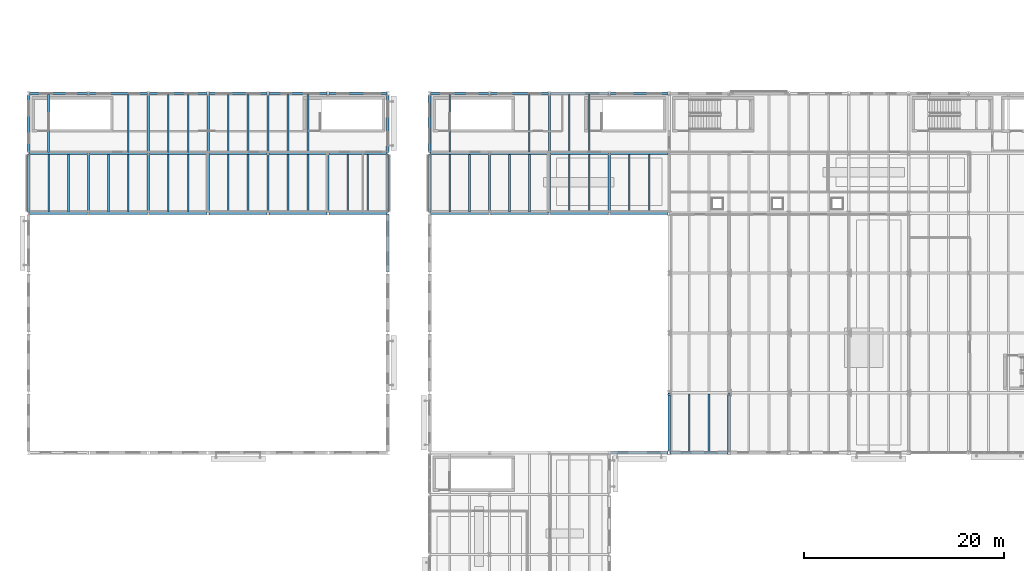
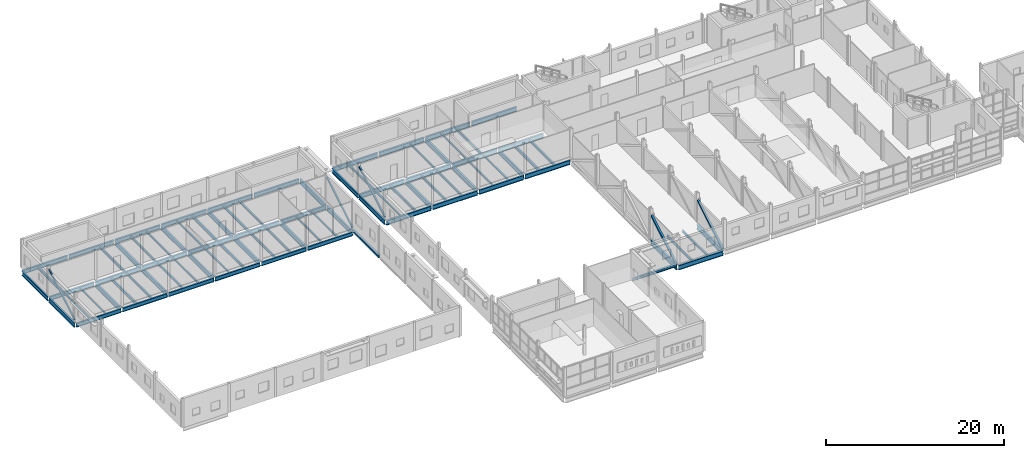
# One storey, part 19 of 92: 87 beams, 5 members.
"""IFC4 building model written with IfcOpenShell, lengths in metres."""

import ifcopenshell
import ifcopenshell.guid

model = None  # the IFC model being written
_history = None  # IfcOwnerHistory: only IFC2X3 demands one
_inside = {}  # id of a spatial element -> (the spatial element, [elements in it])
_under = {}  # id of a project, library or spatial element -> (it, [spatial elements below it])
_declared = {}  # id of a project -> (the project, [libraries it declares])
_typed = {}  # id of a type object -> (the type object, [elements of that type])
_made_of = {}  # id of a material, layer set ... -> (it, [elements and type objects made of it])


def new_model(schema):
    """Start an empty IFC model of exactly this schema.

    Asked for "IFC4X3", IfcOpenShell would pick the latest addendum, in which some entities
    have other attributes; the version numbers below select the first issue.
    IFC2X3 requires an IfcOwnerHistory on every rooted entity: one is made here for all.
    """
    global model, _history
    if schema == "IFC4X3":
        model = ifcopenshell.file(schema_version=(4, 3, 0, 0))
    else:
        model = ifcopenshell.file(schema=schema)
    _inside.clear()
    _under.clear()
    _declared.clear()
    _typed.clear()
    _made_of.clear()
    _history = None
    if model.schema == "IFC2X3":
        org = make("IfcOrganization", Name="unknown")
        user = make(
            "IfcPersonAndOrganization",
            ThePerson=make("IfcPerson", FamilyName="unknown"),
            TheOrganization=org,
        )
        app = make(
            "IfcApplication",
            ApplicationDeveloper=org,
            Version="unknown",
            ApplicationFullName="unknown",
            ApplicationIdentifier="unknown",
        )
        _history = make(
            "IfcOwnerHistory",
            OwningUser=user,
            OwningApplication=app,
            ChangeAction="ADDED",
            CreationDate=0,
        )
    return model


def make(cls, **values):
    """One entity of the class cls with the attributes given. An attribute that is None is left unset."""
    return model.create_entity(
        cls, **{name: value for name, value in values.items() if value is not None}
    )


def rooted(cls, **values):
    """An entity with a GlobalId (a new one), such as an element, a storey or a relation."""
    return make(cls, GlobalId=ifcopenshell.guid.new(), OwnerHistory=_history, **values)


def si_unit(unit_type, name, prefix=None):
    """IfcSIUnit, for example si_unit("LENGTHUNIT", "METRE", prefix="MILLI")."""
    return make("IfcSIUnit", UnitType=unit_type, Prefix=prefix, Name=name)


def assignment(units):
    """IfcUnitAssignment: the units of a project."""
    return None if units is None else make("IfcUnitAssignment", Units=units)


def point(xyz):
    """IfcCartesianPoint."""
    return None if xyz is None else make("IfcCartesianPoint", Coordinates=xyz)


def direction(xyz):
    """IfcDirection."""
    return None if xyz is None else make("IfcDirection", DirectionRatios=xyz)


def frame(location, z_axis=None, x_axis=None):
    """IfcAxis2Placement3D, a coordinate frame: its origin and axes. An axis left out is left unset."""
    return make(
        "IfcAxis2Placement3D",
        Location=point(location),
        Axis=direction(z_axis),
        RefDirection=direction(x_axis),
    )


def frame_2d(location, x_axis=None):
    """IfcAxis2Placement2D, a coordinate frame in the plane: its origin and x axis."""
    return make(
        "IfcAxis2Placement2D", Location=point(location), RefDirection=direction(x_axis)
    )


def origin():
    """The frame at (0, 0, 0) with its axes left unset."""
    return frame((0.0, 0.0, 0.0))


def origin_2d():
    """The frame at (0, 0) in the plane with its x axis left unset."""
    return frame_2d((0.0, 0.0))


def place(relative_to, where):
    """IfcLocalPlacement: puts the frame where relative to a parent placement (None: the world)."""
    return make(
        "IfcLocalPlacement", PlacementRelTo=relative_to, RelativePlacement=where
    )


def context(
    kind, dimensions, precision=None, world=None, true_north=None, identifier=None
):
    """IfcGeometricRepresentationContext, for example the 3D "Model" context."""
    return make(
        "IfcGeometricRepresentationContext",
        ContextIdentifier=identifier,
        ContextType=kind,
        CoordinateSpaceDimension=dimensions,
        Precision=precision,
        WorldCoordinateSystem=world,
        TrueNorth=true_north,
    )


def subcontext(parent, identifier, kind, view, scale=None):
    """IfcGeometricRepresentationSubContext, for example "Body" below "Model"."""
    return make(
        "IfcGeometricRepresentationSubContext",
        ContextIdentifier=identifier,
        ContextType=kind,
        ParentContext=parent,
        TargetScale=scale,
        TargetView=view,
    )


def project(units=None, contexts=None):
    """IfcProject with its units and contexts."""
    return rooted(
        "IfcProject",
        Name="project",
        RepresentationContexts=contexts,
        UnitsInContext=assignment(units),
    )


def spatial(cls, under=None, at=None, **own):
    """A site, building, storey or space (cls), placed at a placement, below another one or the project."""
    s = rooted(cls, ObjectPlacement=at, **own)
    if under is not None:
        _under.setdefault(under.id(), (under, []))[1].append(s)
    return s


def profile(cls, at=None, kind="AREA", **sizes):
    """A parametric profile (cls). Its sizes go by their IFC names, for example OverallWidth=200.0."""
    return make(cls, ProfileType=kind, Position=at, **sizes)


def hollow_rectangle(**sizes):
    """IfcRectangleHollowProfileDef."""
    return profile("IfcRectangleHollowProfileDef", **sizes)


def i_section(**sizes):
    """IfcIShapeProfileDef."""
    return profile("IfcIShapeProfileDef", **sizes)


def extrude(swept, where, along, depth):
    """IfcExtrudedAreaSolid: the profile swept, set in the frame where, extruded along a direction by depth."""
    return make(
        "IfcExtrudedAreaSolid",
        SweptArea=swept,
        Position=where,
        ExtrudedDirection=direction(along),
        Depth=depth,
    )


def shape(context_of_items, identifier, shape_type, items):
    """IfcShapeRepresentation: the items that make up one representation, for example the "Body"."""
    return make(
        "IfcShapeRepresentation",
        ContextOfItems=context_of_items,
        RepresentationIdentifier=identifier,
        RepresentationType=shape_type,
        Items=items,
    )


def material(Name=None, Category=None):
    """IfcMaterial."""
    return make("IfcMaterial", Name=Name, Category=Category)


def material_profile(
    of_material, cross_section, Name=None, Category=None, Priority=None
):
    """IfcMaterialProfile: a cross section and its material."""
    return make(
        "IfcMaterialProfile",
        Name=Name,
        Material=of_material,
        Profile=cross_section,
        Priority=Priority,
        Category=Category,
    )


def profile_set(profiles, Name=None, composite=None):
    """IfcMaterialProfileSet."""
    return make(
        "IfcMaterialProfileSet",
        Name=Name,
        MaterialProfiles=profiles,
        CompositeProfile=composite,
    )


def made_of(thing, what):
    """Note that an element or type object is made of a material, layer set ...; save() writes the relation."""
    if what is not None:
        _made_of.setdefault(what.id(), (what, []))[1].append(thing)
    return thing


def type_object(cls, material=None, **own):
    """A type object (cls), such as IfcWallType, which elements share."""
    return made_of(rooted(cls, **own), material)


def element(
    cls,
    number,
    at=None,
    inside=None,
    cuts=None,
    type_object=None,
    material=None,
    context=None,
    identifier="Body",
    shape_type=None,
    held_by="IfcProductDefinitionShape",
    body=None,
    shapes=None,
    **own,
):
    """One element of the class cls, such as IfcWall. Its Tag is "e" and its number.

    at: its placement. inside: the storey or other place that contains it. cuts: it is an
    opening in that element (IfcRelVoidsElement). A single representation is given by context,
    identifier, shape_type and body (its items); several are given by shapes. held_by: the class
    of the entity that holds the representations. save() writes the other relations.
    """
    e = rooted(cls, Tag="e%d" % number, ObjectPlacement=at, **own)
    if body is not None:
        shapes = [shape(context, identifier, shape_type, body)]
    if shapes is not None:
        e.Representation = make(held_by, Representations=shapes)
    if inside is not None:
        _inside.setdefault(inside.id(), (inside, []))[1].append(e)
    if cuts is not None:
        rooted(
            "IfcRelVoidsElement", RelatingBuildingElement=cuts, RelatedOpeningElement=e
        )
    if type_object is not None:
        _typed.setdefault(type_object.id(), (type_object, []))[1].append(e)
    return made_of(e, material)


def aggregate(whole, parts):
    """IfcRelAggregates: a whole, such as a stair, and the parts it consists of."""
    return rooted("IfcRelAggregates", RelatingObject=whole, RelatedObjects=parts)


def save(model, path):
    """Write the relations noted so far, then the file.

    IfcRelAggregates (storeys below a building ...), IfcRelContainedInSpatialStructure (elements
    in a storey), IfcRelDefinesByType, IfcRelAssociatesMaterial and IfcRelDeclares: one each for
    every whole, place, type object, material and project.
    """
    for whole, parts in _under.values():
        aggregate(whole, parts)
    for where, things in _inside.values():
        rooted(
            "IfcRelContainedInSpatialStructure",
            RelatedElements=things,
            RelatingStructure=where,
        )
    for kind, things in _typed.values():
        rooted("IfcRelDefinesByType", RelatedObjects=things, RelatingType=kind)
    for what, things in _made_of.values():
        rooted("IfcRelAssociatesMaterial", RelatedObjects=things, RelatingMaterial=what)
    for by, libraries in _declared.values():
        rooted("IfcRelDeclares", RelatingContext=by, RelatedDefinitions=libraries)
    model.write(path)


model = new_model("IFC4")

# Units and contexts
model_context = context("Model", 3, precision=1e-05, world=origin(), true_north=direction((0.0, 1.0)))
body_context = subcontext(model_context, "Body", "Model", "MODEL_VIEW")
ifc_project = project(units=[si_unit("LENGTHUNIT", "METRE"), si_unit("AREAUNIT", "SQUARE_METRE"), si_unit("VOLUMEUNIT", "CUBIC_METRE"), si_unit("PLANEANGLEUNIT", "RADIAN"), si_unit("MASSUNIT", "GRAM", prefix="KILO")], contexts=[model_context])

# Site, building, storey
site_placement = place(None, origin())
site = spatial("IfcSite", under=ifc_project, at=site_placement, CompositionType="ELEMENT")
building_placement = place(site_placement, origin())
building = spatial("IfcBuilding", under=site, at=building_placement, Name="Siltcreek Boulevard Central Fire Station", CompositionType="ELEMENT")
storey_placement = place(building_placement, frame((0.0, 0.0, 6.0)))
storey = spatial("IfcBuildingStorey", under=building, at=storey_placement, Name="L02", CompositionType="ELEMENT", Elevation=6.0)

# Beams
ifc_material_1 = material(Name="Structural steel ASTM A992 Gr50", Category="steel")
ifc_material_profile_1 = material_profile(ifc_material_1, i_section(OverallWidth=0.25390625, OverallDepth=0.35302734375, WebThickness=0.009521484375, FlangeThickness=0.016357421875, at=origin_2d()), Name="W360X91")
ifc_profile_set_1 = profile_set([ifc_material_profile_1], Name="Structural steel ASTM A992 Gr50")
beam_type_1 = type_object("IfcBeamType", Name="BM_W360X91", PredefinedType="BEAM", material=ifc_profile_set_1)
for number, where, z_axis, x_axis, name in (
    (1, (60.10009765625, 18.0, -0.176513671875), (1.0, 0.0, 0.0), (0.0, 1.0, 0.0), "Perimeter spandrel tie beam EB-13"),
    (2, (37.800048828125, 36.10009765625, -0.176513671875), (0.0, 1.0, 0.0), (-1.0, 0.0, 0.0), "Perimeter spandrel tie beam EB-17"),
):
    element("IfcBeam", number, at=place(storey_placement, frame(where, z_axis=z_axis, x_axis=x_axis)), inside=storey, type_object=beam_type_1, Name=name, PredefinedType="BEAM", context=body_context, shape_type="SweptSolid", body=[
        extrude(i_section(OverallWidth=0.25390625, OverallDepth=0.35302734375, WebThickness=0.009521484375, FlangeThickness=0.016357421875, at=origin_2d()), origin(), (0.0, 0.0, 1.0), 5.7998046875),
    ])
ifc_material_profile_2 = material_profile(ifc_material_1, i_section(OverallWidth=0.2109375, OverallDepth=0.5390625, WebThickness=0.01171875, FlangeThickness=0.018798828125, at=origin_2d()), Name="W530X109")
ifc_profile_set_2 = profile_set([ifc_material_profile_2], Name="Structural steel ASTM A992 Gr50")
beam_type_2 = type_object("IfcBeamType", Name="BM_W530X109", PredefinedType="BEAM", material=ifc_profile_set_2)
for number, where, z_axis, x_axis, name in (
    (3, (1.89990234375, 42.0, -0.589599609375), (1.0, 0.0, 0.0), (0.0, 1.0, 0.0), "L02 primary steel girder GX-0139"),
    (4, (7.89990234375, 42.0, -0.589599609375), (1.0, 0.0, 0.0), (0.0, 1.0, 0.0), "L02 primary steel girder GX-0140"),
    (5, (13.89990234375, 42.0, -0.589599609375), (1.0, 0.0, 0.0), (0.0, 1.0, 0.0), "L02 primary steel girder GX-0141"),
    (6, (19.89990234375, 42.0, -0.589599609375), (1.0, 0.0, 0.0), (0.0, 1.0, 0.0), "L02 primary steel girder GX-0142"),
    (7, (25.89990234375, 42.0, -0.589599609375), (1.0, 0.0, 0.0), (0.0, 1.0, 0.0), "L02 primary steel girder GX-0143"),
    (8, (31.89990234375, 42.0, -0.589599609375), (1.0, 0.0, 0.0), (0.0, 1.0, 0.0), "L02 primary steel girder GX-0144"),
    (9, (1.89990234375, 48.0, -0.589599609375), (1.0, 0.0, 0.0), (0.0, 1.0, 0.0), "L02 primary steel girder GX-0145"),
    (10, (7.89990234375, 48.0, -0.589599609375), (1.0, 0.0, 0.0), (0.0, 1.0, 0.0), "L02 primary steel girder GX-0146"),
    (11, (13.89990234375, 48.0, -0.589599609375), (1.0, 0.0, 0.0), (0.0, 1.0, 0.0), "L02 primary steel girder GX-0147"),
    (12, (19.89990234375, 48.0, -0.589599609375), (1.0, 0.0, 0.0), (0.0, 1.0, 0.0), "L02 primary steel girder GX-0148"),
    (13, (25.89990234375, 48.0, -0.589599609375), (1.0, 0.0, 0.0), (0.0, 1.0, 0.0), "L02 primary steel girder GX-0149"),
    (14, (31.89990234375, 48.0, -0.589599609375), (1.0, 0.0, 0.0), (0.0, 1.0, 0.0), "L02 primary steel girder GX-0150"),
    (15, (1.89990234375, 54.0, -0.589599609375), (1.0, 0.0, 0.0), (0.0, 1.0, 0.0), "L02 primary steel girder GX-0151"),
    (16, (7.89990234375, 54.0, -0.589599609375), (1.0, 0.0, 0.0), (0.0, 1.0, 0.0), "L02 primary steel girder GX-0152"),
    (17, (13.89990234375, 54.0, -0.589599609375), (1.0, 0.0, 0.0), (0.0, 1.0, 0.0), "L02 primary steel girder GX-0153"),
    (18, (19.89990234375, 54.0, -0.589599609375), (1.0, 0.0, 0.0), (0.0, 1.0, 0.0), "L02 primary steel girder GX-0154"),
    (19, (25.89990234375, 54.0, -0.589599609375), (1.0, 0.0, 0.0), (0.0, 1.0, 0.0), "L02 primary steel girder GX-0155"),
    (20, (31.89990234375, 54.0, -0.589599609375), (1.0, 0.0, 0.0), (0.0, 1.0, 0.0), "L02 primary steel girder GX-0156"),
):
    element("IfcBeam", number, at=place(storey_placement, frame(where, z_axis=z_axis, x_axis=x_axis)), inside=storey, type_object=beam_type_2, Name=name, PredefinedType="BEAM", context=body_context, shape_type="SweptSolid", body=[
        extrude(i_section(OverallWidth=0.2109375, OverallDepth=0.5390625, WebThickness=0.01171875, FlangeThickness=0.018798828125, at=origin_2d()), origin(), (0.0, 0.0, 1.0), 5.800048828125),
    ])
ifc_material_profile_3 = material_profile(ifc_material_1, i_section(OverallWidth=0.22802734375, OverallDepth=0.60791015625, WebThickness=0.01123046875, FlangeThickness=0.017333984375, at=origin_2d()), Name="W610X113")
ifc_profile_set_3 = profile_set([ifc_material_profile_3], Name="Structural steel ASTM A992 Gr50")
beam_type_3 = type_object("IfcBeamType", Name="BM_W610X113", PredefinedType="BEAM", material=ifc_profile_set_3)
for number, where, z_axis, x_axis, name in (
    (21, (42.0, 42.10009765625, -0.6240234375), (0.0, 1.0, 0.0), (-1.0, 0.0, 0.0), "L02 primary steel girder GY-0028"),
    (22, (42.0, 48.10009765625, -0.6240234375), (0.0, 1.0, 0.0), (-1.0, 0.0, 0.0), "L02 primary steel girder GY-0029"),
    (23, (48.0, 42.10009765625, -0.6240234375), (0.0, 1.0, 0.0), (-1.0, 0.0, 0.0), "L02 primary steel girder GY-0032"),
    (24, (54.0, 42.10009765625, -0.6240234375), (0.0, 1.0, 0.0), (-1.0, 0.0, 0.0), "L02 primary steel girder GY-0036"),
    (25, (54.0, 48.10009765625, -0.6240234375), (0.0, 1.0, 0.0), (-1.0, 0.0, 0.0), "L02 primary steel girder GY-0037"),
    (26, (60.0, 42.10009765625, -0.6240234375), (0.0, 1.0, 0.0), (-1.0, 0.0, 0.0), "L02 primary steel girder GY-0041"),
    (27, (1.800048828125, 42.10009765625, -0.6240234375), (0.0, 1.0, 0.0), (-1.0, 0.0, 0.0), "L02 primary steel girder GY-0157"),
    (28, (1.800048828125, 48.10009765625, -0.6240234375), (0.0, 1.0, 0.0), (-1.0, 0.0, 0.0), "L02 primary steel girder GY-0158"),
    (29, (7.800048828125, 42.10009765625, -0.6240234375), (0.0, 1.0, 0.0), (-1.0, 0.0, 0.0), "L02 primary steel girder GY-0159"),
    (30, (13.800048828125, 42.10009765625, -0.6240234375), (0.0, 1.0, 0.0), (-1.0, 0.0, 0.0), "L02 primary steel girder GY-0160"),
    (31, (13.800048828125, 48.10009765625, -0.6240234375), (0.0, 1.0, 0.0), (-1.0, 0.0, 0.0), "L02 primary steel girder GY-0161"),
    (32, (19.800048828125, 42.10009765625, -0.6240234375), (0.0, 1.0, 0.0), (-1.0, 0.0, 0.0), "L02 primary steel girder GY-0162"),
    (33, (19.800048828125, 48.10009765625, -0.6240234375), (0.0, 1.0, 0.0), (-1.0, 0.0, 0.0), "L02 primary steel girder GY-0163"),
    (34, (25.800048828125, 42.10009765625, -0.6240234375), (0.0, 1.0, 0.0), (-1.0, 0.0, 0.0), "L02 primary steel girder GY-0164"),
    (35, (25.800048828125, 48.10009765625, -0.6240234375), (0.0, 1.0, 0.0), (-1.0, 0.0, 0.0), "L02 primary steel girder GY-0165"),
    (36, (31.800048828125, 42.10009765625, -0.6240234375), (0.0, 1.0, 0.0), (-1.0, 0.0, 0.0), "L02 primary steel girder GY-0166"),
    (37, (37.800048828125, 42.10009765625, -0.6240234375), (0.0, 1.0, 0.0), (-1.0, 0.0, 0.0), "L02 primary steel girder GY-0167"),
    (38, (37.800048828125, 48.10009765625, -0.6240234375), (0.0, 1.0, 0.0), (-1.0, 0.0, 0.0), "L02 primary steel girder GY-0168"),
):
    element("IfcBeam", number, at=place(storey_placement, frame(where, z_axis=z_axis, x_axis=x_axis)), inside=storey, type_object=beam_type_3, Name=name, PredefinedType="BEAM", context=body_context, shape_type="SweptSolid", body=[
        extrude(i_section(OverallWidth=0.22802734375, OverallDepth=0.60791015625, WebThickness=0.01123046875, FlangeThickness=0.017333984375, at=origin_2d()), origin(), (0.0, 0.0, 1.0), 5.7998046875),
    ])
ifc_material_profile_4 = material_profile(ifc_material_1, i_section(OverallWidth=0.22998046875, OverallDepth=0.616943359375, WebThickness=0.01318359375, FlangeThickness=0.022216796875, at=origin_2d()), Name="W610X140")
ifc_profile_set_4 = profile_set([ifc_material_profile_4], Name="Structural steel ASTM A992 Gr50")
beam_type_4 = type_object("IfcBeamType", Name="BM_W610X140", PredefinedType="BEAM", material=ifc_profile_set_4)
for number, where, z_axis, x_axis, name in (
    (39, (42.10009765625, 42.0, -0.62841796875), (1.0, 0.0, 0.0), (0.0, 1.0, 0.0), "L02 primary steel girder GX-0013"),
    (40, (48.10009765625, 42.0, -0.62841796875), (1.0, 0.0, 0.0), (0.0, 1.0, 0.0), "L02 primary steel girder GX-0014"),
    (41, (54.10009765625, 42.0, -0.62841796875), (1.0, 0.0, 0.0), (0.0, 1.0, 0.0), "L02 primary steel girder GX-0015"),
    (42, (60.10009765625, 42.0, -0.62841796875), (1.0, 0.0, 0.0), (0.0, 1.0, 0.0), "L02 primary steel girder GX-0016"),
    (43, (42.10009765625, 48.0, -0.62841796875), (1.0, 0.0, 0.0), (0.0, 1.0, 0.0), "L02 primary steel girder GX-0017"),
    (44, (48.10009765625, 48.0, -0.62841796875), (1.0, 0.0, 0.0), (0.0, 1.0, 0.0), "L02 primary steel girder GX-0018"),
    (45, (54.10009765625, 48.0, -0.62841796875), (1.0, 0.0, 0.0), (0.0, 1.0, 0.0), "L02 primary steel girder GX-0019"),
    (46, (60.10009765625, 48.0, -0.62841796875), (1.0, 0.0, 0.0), (0.0, 1.0, 0.0), "L02 primary steel girder GX-0020"),
    (47, (42.10009765625, 54.0, -0.62841796875), (1.0, 0.0, 0.0), (0.0, 1.0, 0.0), "L02 primary steel girder GX-0021"),
    (48, (48.10009765625, 54.0, -0.62841796875), (1.0, 0.0, 0.0), (0.0, 1.0, 0.0), "L02 primary steel girder GX-0022"),
    (49, (54.10009765625, 54.0, -0.62841796875), (1.0, 0.0, 0.0), (0.0, 1.0, 0.0), "L02 primary steel girder GX-0023"),
    (50, (60.10009765625, 54.0, -0.62841796875), (1.0, 0.0, 0.0), (0.0, 1.0, 0.0), "L02 primary steel girder GX-0024"),
    (51, (66.10009765625, 18.0, -0.62841796875), (1.0, 0.0, 0.0), (0.0, 1.0, 0.0), "L02 primary steel girder GX-0044"),
):
    element("IfcBeam", number, at=place(storey_placement, frame(where, z_axis=z_axis, x_axis=x_axis)), inside=storey, type_object=beam_type_4, Name=name, PredefinedType="BEAM", context=body_context, shape_type="SweptSolid", body=[
        extrude(i_section(OverallWidth=0.22998046875, OverallDepth=0.616943359375, WebThickness=0.01318359375, FlangeThickness=0.022216796875, at=origin_2d()), origin(), (0.0, 0.0, 1.0), 5.7998046875),
    ])
ifc_material_profile_5 = material_profile(ifc_material_1, i_section(OverallWidth=0.256103515625, OverallDepth=0.693115234375, WebThickness=0.014404296875, FlangeThickness=0.023681640625, at=origin_2d()), Name="W690X170")
ifc_profile_set_5 = profile_set([ifc_material_profile_5], Name="Structural steel ASTM A992 Gr50")
beam_type_5 = type_object("IfcBeamType", Name="BM_W690X170", PredefinedType="BEAM", material=ifc_profile_set_5)
for number, where, z_axis, x_axis, name in (
    (52, (66.0, 18.18505859375, -0.66650390625), (0.0, 1.0, 0.0), (-1.0, 0.0, 0.0), "Pratt transfer truss TT1 bottom chord panel 1"),
    (53, (72.0, 18.18505859375, -0.66650390625), (0.0, 1.0, 0.0), (-1.0, 0.0, 0.0), "Pratt transfer truss TT2 bottom chord panel 1"),
):
    element("IfcBeam", number, at=place(storey_placement, frame(where, z_axis=z_axis, x_axis=x_axis)), inside=storey, type_object=beam_type_5, Name=name, PredefinedType="BEAM", context=body_context, shape_type="SweptSolid", body=[
        extrude(i_section(OverallWidth=0.256103515625, OverallDepth=0.693115234375, WebThickness=0.014404296875, FlangeThickness=0.023681640625, at=origin_2d()), origin(), (0.0, 0.0, 1.0), 5.81298828125),
    ])

# Members
ifc_material_2 = material(Name="Structural steel ASTM A500 GrC", Category="steel")
ifc_material_profile_6 = material_profile(ifc_material_2, hollow_rectangle(XDim=0.179931640625, YDim=0.179931640625, WallThickness=0.008056640625, at=origin_2d()), Name="HSS180X180X8.0")
ifc_profile_set_6 = profile_set([ifc_material_profile_6], Name="Structural steel ASTM A500 GrC")
member_type_1 = type_object("IfcMemberType", Name="BR_HSS180", PredefinedType="BRACE", material=ifc_profile_set_6)
for number, where, z_axis, x_axis, name in (
    (54, (1.800048828125, 42.1201171875, 0.10009765625), (0.0, 0.857880912355, 0.513848557667), (-1.0, 0.0, 0.0), "L02 SCBF concentrically braced frame BR-002"),
    (55, (37.800048828125, 42.1201171875, 0.10009765625), (0.0, 0.857880912355, 0.513848557667), (-1.0, 0.0, 0.0), "L02 SCBF concentrically braced frame BR-004"),
):
    element("IfcMember", number, at=place(storey_placement, frame(where, z_axis=z_axis, x_axis=x_axis)), inside=storey, type_object=member_type_1, Name=name, PredefinedType="BRACE", context=body_context, shape_type="SweptSolid", body=[
        extrude(hollow_rectangle(XDim=0.179931640625, YDim=0.179931640625, WallThickness=0.008056640625, at=origin_2d()), origin(), (0.0, 0.0, 1.0), 6.7138671875),
    ])
ifc_material_profile_7 = material_profile(ifc_material_2, hollow_rectangle(XDim=0.199951171875, YDim=0.199951171875, WallThickness=0.00634765625, at=origin_2d()), Name="HSS200X200X6.4")
ifc_profile_set_7 = profile_set([ifc_material_profile_7], Name="Structural steel ASTM A500 GrC")
member_type_2 = type_object("IfcMemberType", Name="BR_HSS200_6", PredefinedType="BRACE", material=ifc_profile_set_7)
member_placement = place(storey_placement, frame((42.0, 42.1201171875, 0.10009765625), z_axis=(0.0, 0.857880912355, 0.513848557667), x_axis=(-1.0, 0.0, 0.0)))
element("IfcMember", 56, at=member_placement, inside=storey, type_object=member_type_2, Name="L02 SCBF concentrically braced frame BR-006", PredefinedType="BRACE", context=body_context, shape_type="SweptSolid", body=[
    extrude(hollow_rectangle(XDim=0.199951171875, YDim=0.199951171875, WallThickness=0.00634765625, at=origin_2d()), origin(), (0.0, 0.0, 1.0), 6.7138671875),
])
ifc_material_profile_8 = material_profile(ifc_material_2, hollow_rectangle(XDim=0.25, YDim=0.25, WallThickness=0.012451171875, at=origin_2d()), Name="HSS250X250X12.5")
ifc_profile_set_8 = profile_set([ifc_material_profile_8], Name="Structural steel ASTM A500 GrC")
member_type_3 = type_object("IfcMemberType", Name="BR_HSS250_12", PredefinedType="BRACE", material=ifc_profile_set_8)
for number, where, z_axis, x_axis, name in (
    (57, (66.0, 18.199951171875, -0.324462890625), (0.0, 0.857769965344, 0.514033740676), (-1.0, 0.0, 0.0), "Pratt transfer truss TT1 diagonal web 1"),
    (58, (72.0, 18.199951171875, -0.324462890625), (0.0, 0.857769965344, 0.514033740676), (-1.0, 0.0, 0.0), "Pratt transfer truss TT2 diagonal web 1"),
):
    element("IfcMember", number, at=place(storey_placement, frame(where, z_axis=z_axis, x_axis=x_axis)), inside=storey, type_object=member_type_3, Name=name, PredefinedType="BRACE", context=body_context, shape_type="SweptSolid", body=[
        extrude(hollow_rectangle(XDim=0.25, YDim=0.25, WallThickness=0.012451171875, at=origin_2d()), origin(), (0.0, 0.0, 1.0), 6.528564453125),
    ])

# Beams
ifc_material_profile_9 = material_profile(ifc_material_1, i_section(OverallWidth=0.1650390625, OverallDepth=0.200927734375, WebThickness=0.006103515625, FlangeThickness=0.01025390625, at=origin_2d()), Name="W200X36")
ifc_profile_set_9 = profile_set([ifc_material_profile_9], Name="Structural steel ASTM A992 Gr50")
beam_type_6 = type_object("IfcBeamType", Name="JST_W200X36", PredefinedType="JOIST", material=ifc_profile_set_9)
for number, where, z_axis, x_axis, name in (
    (59, (44.0, 42.113037109375, -0.42041015625), (0.0, 1.0, 0.0), (-1.0, 0.0, 0.0), "L02 secondary steel floor joist 0017"),
    (60, (58.0, 42.113037109375, -0.42041015625), (0.0, 1.0, 0.0), (-1.0, 0.0, 0.0), "L02 secondary steel floor joist 0022"),
    (61, (56.0, 48.113037109375, -0.42041015625), (0.0, 1.0, 0.0), (-1.0, 0.0, 0.0), "L02 secondary steel floor joist 0027"),
):
    element("IfcBeam", number, at=place(storey_placement, frame(where, z_axis=z_axis, x_axis=x_axis)), inside=storey, type_object=beam_type_6, Name=name, PredefinedType="JOIST", context=body_context, shape_type="SweptSolid", body=[
        extrude(i_section(OverallWidth=0.1650390625, OverallDepth=0.200927734375, WebThickness=0.006103515625, FlangeThickness=0.01025390625, at=origin_2d()), origin(), (0.0, 0.0, 1.0), 5.77392578125),
    ])
for number, where, z_axis, x_axis, name in (
    (62, (5.800048828125, 42.103515625, -0.42041015625), (0.0, 1.0, 0.0), (-1.0, 0.0, 0.0), "L02 secondary steel floor joist 0122"),
    (63, (21.800048828125, 42.103515625, -0.42041015625), (0.0, 1.0, 0.0), (-1.0, 0.0, 0.0), "L02 secondary steel floor joist 0127"),
    (64, (35.800048828125, 42.103515625, -0.42041015625), (0.0, 1.0, 0.0), (-1.0, 0.0, 0.0), "L02 secondary steel floor joist 0132"),
    (65, (21.800048828125, 48.103515625, -0.42041015625), (0.0, 1.0, 0.0), (-1.0, 0.0, 0.0), "L02 secondary steel floor joist 0137"),
):
    element("IfcBeam", number, at=place(storey_placement, frame(where, z_axis=z_axis, x_axis=x_axis)), inside=storey, type_object=beam_type_6, Name=name, PredefinedType="JOIST", context=body_context, shape_type="SweptSolid", body=[
        extrude(i_section(OverallWidth=0.1650390625, OverallDepth=0.200927734375, WebThickness=0.006103515625, FlangeThickness=0.01025390625, at=origin_2d()), origin(), (0.0, 0.0, 1.0), 5.79296875),
    ])
ifc_material_profile_10 = material_profile(ifc_material_1, i_section(OverallWidth=0.14697265625, OverallDepth=0.261962890625, WebThickness=0.006591796875, FlangeThickness=0.01123046875, at=origin_2d()), Name="W250X39")
ifc_profile_set_10 = profile_set([ifc_material_profile_10], Name="Structural steel ASTM A992 Gr50")
beam_type_7 = type_object("IfcBeamType", Name="JST_W250X39", PredefinedType="JOIST", material=ifc_profile_set_10)
for number, where, z_axis, x_axis, name in (
    (66, (56.0, 42.113037109375, -0.450927734375), (0.0, 1.0, 0.0), (-1.0, 0.0, 0.0), "L02 secondary steel floor joist 0021"),
    (67, (52.0, 48.113037109375, -0.450927734375), (0.0, 1.0, 0.0), (-1.0, 0.0, 0.0), "L02 secondary steel floor joist 0026"),
):
    element("IfcBeam", number, at=place(storey_placement, frame(where, z_axis=z_axis, x_axis=x_axis)), inside=storey, type_object=beam_type_7, Name=name, PredefinedType="JOIST", context=body_context, shape_type="SweptSolid", body=[
        extrude(i_section(OverallWidth=0.14697265625, OverallDepth=0.261962890625, WebThickness=0.006591796875, FlangeThickness=0.01123046875, at=origin_2d()), origin(), (0.0, 0.0, 1.0), 5.77392578125),
    ])
for number, where, z_axis, x_axis, name in (
    (68, (3.800048828125, 42.103515625, -0.450927734375), (0.0, 1.0, 0.0), (-1.0, 0.0, 0.0), "L02 secondary steel floor joist 0121"),
    (69, (17.800048828125, 42.103515625, -0.450927734375), (0.0, 1.0, 0.0), (-1.0, 0.0, 0.0), "L02 secondary steel floor joist 0126"),
    (70, (33.800048828125, 42.103515625, -0.450927734375), (0.0, 1.0, 0.0), (-1.0, 0.0, 0.0), "L02 secondary steel floor joist 0131"),
    (71, (17.800048828125, 48.103515625, -0.450927734375), (0.0, 1.0, 0.0), (-1.0, 0.0, 0.0), "L02 secondary steel floor joist 0136"),
):
    element("IfcBeam", number, at=place(storey_placement, frame(where, z_axis=z_axis, x_axis=x_axis)), inside=storey, type_object=beam_type_7, Name=name, PredefinedType="JOIST", context=body_context, shape_type="SweptSolid", body=[
        extrude(i_section(OverallWidth=0.14697265625, OverallDepth=0.261962890625, WebThickness=0.006591796875, FlangeThickness=0.01123046875, at=origin_2d()), origin(), (0.0, 0.0, 1.0), 5.79296875),
    ])
ifc_material_profile_11 = material_profile(ifc_material_1, i_section(OverallWidth=0.166015625, OverallDepth=0.31298828125, WebThickness=0.006591796875, FlangeThickness=0.01123046875, at=origin_2d()), Name="W310X45")
ifc_profile_set_11 = profile_set([ifc_material_profile_11], Name="Structural steel ASTM A992 Gr50")
beam_type_8 = type_object("IfcBeamType", Name="JST_W310X45", PredefinedType="JOIST", material=ifc_profile_set_11)
for number, where, z_axis, x_axis, name in (
    (72, (52.0, 42.113037109375, -0.4765625), (0.0, 1.0, 0.0), (-1.0, 0.0, 0.0), "L02 secondary steel floor joist 0020"),
    (73, (44.0, 48.113037109375, -0.4765625), (0.0, 1.0, 0.0), (-1.0, 0.0, 0.0), "L02 secondary steel floor joist 0025"),
    (74, (70.0, 18.113037109375, -0.4765625), (0.0, 1.0, 0.0), (-1.0, 0.0, 0.0), "L02 secondary steel floor joist 0030"),
):
    element("IfcBeam", number, at=place(storey_placement, frame(where, z_axis=z_axis, x_axis=x_axis)), inside=storey, type_object=beam_type_8, Name=name, PredefinedType="JOIST", context=body_context, shape_type="SweptSolid", body=[
        extrude(i_section(OverallWidth=0.166015625, OverallDepth=0.31298828125, WebThickness=0.006591796875, FlangeThickness=0.01123046875, at=origin_2d()), origin(), (0.0, 0.0, 1.0), 5.77392578125),
    ])
for number, where, z_axis, x_axis, name in (
    (75, (15.800048828125, 42.103515625, -0.4765625), (0.0, 1.0, 0.0), (-1.0, 0.0, 0.0), "L02 secondary steel floor joist 0125"),
    (76, (29.800048828125, 42.103515625, -0.4765625), (0.0, 1.0, 0.0), (-1.0, 0.0, 0.0), "L02 secondary steel floor joist 0130"),
    (77, (15.800048828125, 48.103515625, -0.4765625), (0.0, 1.0, 0.0), (-1.0, 0.0, 0.0), "L02 secondary steel floor joist 0135"),
    (78, (29.800048828125, 48.103515625, -0.4765625), (0.0, 1.0, 0.0), (-1.0, 0.0, 0.0), "L02 secondary steel floor joist 0140"),
):
    element("IfcBeam", number, at=place(storey_placement, frame(where, z_axis=z_axis, x_axis=x_axis)), inside=storey, type_object=beam_type_8, Name=name, PredefinedType="JOIST", context=body_context, shape_type="SweptSolid", body=[
        extrude(i_section(OverallWidth=0.166015625, OverallDepth=0.31298828125, WebThickness=0.006591796875, FlangeThickness=0.01123046875, at=origin_2d()), origin(), (0.0, 0.0, 1.0), 5.79296875),
    ])
ifc_material_profile_12 = material_profile(ifc_material_1, i_section(OverallWidth=0.172119140625, OverallDepth=0.35791015625, WebThickness=0.0078125, FlangeThickness=0.01318359375, at=origin_2d()), Name="W360X57")
ifc_profile_set_12 = profile_set([ifc_material_profile_12], Name="Structural steel ASTM A992 Gr50")
beam_type_9 = type_object("IfcBeamType", Name="JST_W360X57", PredefinedType="JOIST", material=ifc_profile_set_12)
for number, where, z_axis, x_axis, name in (
    (79, (50.0, 42.113037109375, -0.4990234375), (0.0, 1.0, 0.0), (-1.0, 0.0, 0.0), "L02 secondary steel floor joist 0019"),
    (80, (64.0, 42.113037109375, -0.4990234375), (0.0, 1.0, 0.0), (-1.0, 0.0, 0.0), "L02 secondary steel floor joist 0024"),
    (81, (68.0, 18.113037109375, -0.4990234375), (0.0, 1.0, 0.0), (-1.0, 0.0, 0.0), "L02 secondary steel floor joist 0029"),
):
    element("IfcBeam", number, at=place(storey_placement, frame(where, z_axis=z_axis, x_axis=x_axis)), inside=storey, type_object=beam_type_9, Name=name, PredefinedType="JOIST", context=body_context, shape_type="SweptSolid", body=[
        extrude(i_section(OverallWidth=0.172119140625, OverallDepth=0.35791015625, WebThickness=0.0078125, FlangeThickness=0.01318359375, at=origin_2d()), origin(), (0.0, 0.0, 1.0), 5.77392578125),
    ])
for number, where, z_axis, x_axis, name in (
    (82, (11.800048828125, 42.103515625, -0.4990234375), (0.0, 1.0, 0.0), (-1.0, 0.0, 0.0), "L02 secondary steel floor joist 0124"),
    (83, (27.800048828125, 42.103515625, -0.4990234375), (0.0, 1.0, 0.0), (-1.0, 0.0, 0.0), "L02 secondary steel floor joist 0129"),
    (84, (11.800048828125, 48.103515625, -0.4990234375), (0.0, 1.0, 0.0), (-1.0, 0.0, 0.0), "L02 secondary steel floor joist 0134"),
    (85, (27.800048828125, 48.103515625, -0.4990234375), (0.0, 1.0, 0.0), (-1.0, 0.0, 0.0), "L02 secondary steel floor joist 0139"),
):
    element("IfcBeam", number, at=place(storey_placement, frame(where, z_axis=z_axis, x_axis=x_axis)), inside=storey, type_object=beam_type_9, Name=name, PredefinedType="JOIST", context=body_context, shape_type="SweptSolid", body=[
        extrude(i_section(OverallWidth=0.172119140625, OverallDepth=0.35791015625, WebThickness=0.0078125, FlangeThickness=0.01318359375, at=origin_2d()), origin(), (0.0, 0.0, 1.0), 5.79296875),
    ])
ifc_material_profile_13 = material_profile(ifc_material_1, i_section(OverallWidth=0.177001953125, OverallDepth=0.403076171875, WebThickness=0.007568359375, FlangeThickness=0.010986328125, at=origin_2d()), Name="W410X53")
ifc_profile_set_13 = profile_set([ifc_material_profile_13], Name="Structural steel ASTM A992 Gr50")
beam_type_10 = type_object("IfcBeamType", Name="JST_W410X53", PredefinedType="JOIST", material=ifc_profile_set_13)
for number, where, z_axis, x_axis, name in (
    (86, (46.0, 42.113037109375, -0.521484375), (0.0, 1.0, 0.0), (-1.0, 0.0, 0.0), "L02 secondary steel floor joist 0018"),
    (87, (62.0, 42.113037109375, -0.521484375), (0.0, 1.0, 0.0), (-1.0, 0.0, 0.0), "L02 secondary steel floor joist 0023"),
    (88, (58.0, 48.113037109375, -0.521484375), (0.0, 1.0, 0.0), (-1.0, 0.0, 0.0), "L02 secondary steel floor joist 0028"),
):
    element("IfcBeam", number, at=place(storey_placement, frame(where, z_axis=z_axis, x_axis=x_axis)), inside=storey, type_object=beam_type_10, Name=name, PredefinedType="JOIST", context=body_context, shape_type="SweptSolid", body=[
        extrude(i_section(OverallWidth=0.177001953125, OverallDepth=0.403076171875, WebThickness=0.007568359375, FlangeThickness=0.010986328125, at=origin_2d()), origin(), (0.0, 0.0, 1.0), 5.77392578125),
    ])
for number, where, z_axis, x_axis, name in (
    (89, (9.800048828125, 42.103515625, -0.521484375), (0.0, 1.0, 0.0), (-1.0, 0.0, 0.0), "L02 secondary steel floor joist 0123"),
    (90, (23.800048828125, 42.103515625, -0.521484375), (0.0, 1.0, 0.0), (-1.0, 0.0, 0.0), "L02 secondary steel floor joist 0128"),
    (91, (3.800048828125, 48.103515625, -0.521484375), (0.0, 1.0, 0.0), (-1.0, 0.0, 0.0), "L02 secondary steel floor joist 0133"),
    (92, (23.800048828125, 48.103515625, -0.521484375), (0.0, 1.0, 0.0), (-1.0, 0.0, 0.0), "L02 secondary steel floor joist 0138"),
):
    element("IfcBeam", number, at=place(storey_placement, frame(where, z_axis=z_axis, x_axis=x_axis)), inside=storey, type_object=beam_type_10, Name=name, PredefinedType="JOIST", context=body_context, shape_type="SweptSolid", body=[
        extrude(i_section(OverallWidth=0.177001953125, OverallDepth=0.403076171875, WebThickness=0.007568359375, FlangeThickness=0.010986328125, at=origin_2d()), origin(), (0.0, 0.0, 1.0), 5.79296875),
    ])

save(model, "model.ifc")
